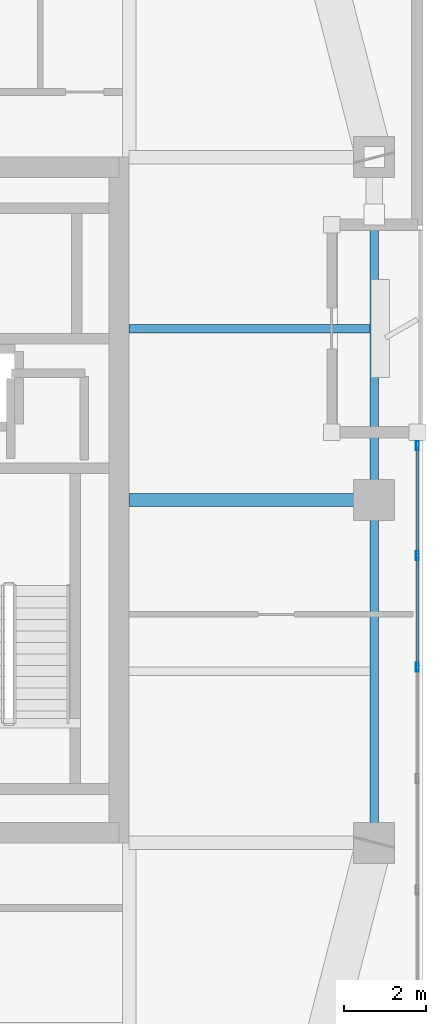
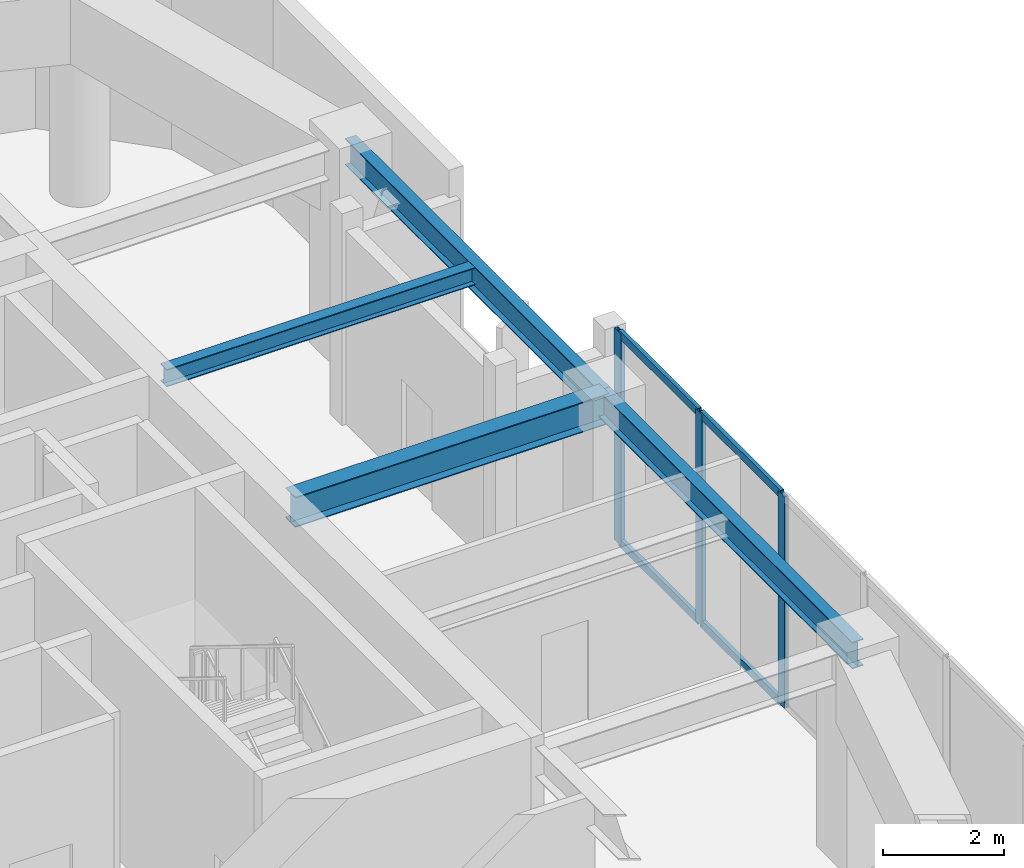
# One storey, part 5 of 14: 7 members, 4 beams, 1 element without a shape of its own.
"""IFC4 building model written with IfcOpenShell, lengths in metres."""

from ifc_helpers import new_model, si_unit, direction, frame, origin, origin_2d, place, context, subcontext, project, spatial, hollow_rectangle, i_section, extrude, material, layer, layer_set, material_profile, profile_set, type_object, element, aggregate, save


model = new_model("IFC4")

# Units and contexts
model_context = context("Model", 3, precision=1e-05, world=origin(), true_north=direction((0.0, 1.0)))
body_context = subcontext(model_context, "Body", "Model", "MODEL_VIEW")
ifc_project = project(units=[si_unit("LENGTHUNIT", "METRE"), si_unit("AREAUNIT", "SQUARE_METRE"), si_unit("VOLUMEUNIT", "CUBIC_METRE"), si_unit("PLANEANGLEUNIT", "RADIAN"), si_unit("MASSUNIT", "GRAM", prefix="KILO")], contexts=[model_context])

# Site, building, storey
site_placement = place(None, origin())
site = spatial("IfcSite", under=ifc_project, at=site_placement, CompositionType="ELEMENT")
building_placement = place(site_placement, origin())
building = spatial("IfcBuilding", under=site, at=building_placement, Name="Kiyonajd Concourse Tower", CompositionType="ELEMENT")
storey_placement = place(building_placement, frame((0.0, 0.0, 294.0)))
storey = spatial("IfcBuildingStorey", under=building, at=storey_placement, Name="L74", CompositionType="ELEMENT", Elevation=294.0)

# Beams
ifc_material_1 = material(Name="Steel ASTM A992 Grade 50", Category="steel")
ifc_material_profile_1 = material_profile(ifc_material_1, i_section(OverallWidth=0.205078125, OverallDepth=0.35400390625, WebThickness=0.009521484375, FlangeThickness=0.016845703125, at=origin_2d()), Name="W360X79")
ifc_profile_set_1 = profile_set([ifc_material_profile_1], Name="Steel ASTM A992 Grade 50")
beam_type_1 = type_object("IfcBeamType", Name="BM-JST-360", PredefinedType="JOIST", material=ifc_profile_set_1)
beam_1_placement = place(storey_placement, frame((63.60009765625, 40.199951171875, 4.10302734375), z_axis=(1.0, 0.0, 0.0), x_axis=(0.0, 1.0, 0.0)))
element("IfcBeam", 1, at=beam_1_placement, inside=storey, type_object=beam_type_1, Name="L74 East Secondary Floor Joist", PredefinedType="JOIST", context=body_context, shape_type="SweptSolid", body=[
    extrude(i_section(OverallWidth=0.205078125, OverallDepth=0.35400390625, WebThickness=0.009521484375, FlangeThickness=0.016845703125, at=origin_2d()), origin(), (0.0, 0.0, 1.0), 5.894287109375),
])
ifc_material_profile_2 = material_profile(ifc_material_1, i_section(OverallWidth=0.2109375, OverallDepth=0.5390625, WebThickness=0.01171875, FlangeThickness=0.018798828125, at=origin_2d()), Name="W530X109")
ifc_profile_set_2 = profile_set([ifc_material_profile_2], Name="Steel ASTM A992 Grade 50")
beam_type_2 = type_object("IfcBeamType", Name="BM-SPAN-530B", PredefinedType="SPANDREL", material=ifc_profile_set_2)
for number, where, z_axis, x_axis, name in (
    (2, (69.60009765625, 27.60009765625, 4.010498046875), (0.0, 1.0, 0.0), (-1.0, 0.0, 0.0), "L74 Perimeter Bundled Tube Spandrel"),
    (3, (69.60009765625, 36.0, 4.010498046875), (0.0, 1.0, 0.0), (-1.0, 0.0, 0.0), "L74 Perimeter Bundled Tube Spandrel"),
):
    element("IfcBeam", number, at=place(storey_placement, frame(where, z_axis=z_axis, x_axis=x_axis)), inside=storey, type_object=beam_type_2, Name=name, PredefinedType="SPANDREL", context=body_context, shape_type="SweptSolid", body=[
        extrude(i_section(OverallWidth=0.2109375, OverallDepth=0.5390625, WebThickness=0.01171875, FlangeThickness=0.018798828125, at=origin_2d()), origin(), (0.0, 0.0, 1.0), 8.39990234375),
    ])
ifc_material_profile_3 = material_profile(ifc_material_1, i_section(OverallWidth=0.323974609375, OverallDepth=0.611083984375, WebThickness=0.0126953125, FlangeThickness=0.01904296875, at=origin_2d()), Name="W610X155")
ifc_profile_set_3 = profile_set([ifc_material_profile_3], Name="Steel ASTM A992 Grade 50")
beam_type_3 = type_object("IfcBeamType", Name="BM-TWR-610B", PredefinedType="BEAM", material=ifc_profile_set_3)
beam_2_placement = place(storey_placement, frame((63.60009765625, 36.0, 3.974609375), z_axis=(1.0, 0.0, 0.0), x_axis=(0.0, 1.0, 0.0)))
element("IfcBeam", 4, at=beam_2_placement, inside=storey, type_object=beam_type_3, Name="L74 East Lease Girder", PredefinedType="BEAM", context=body_context, shape_type="SweptSolid", body=[
    extrude(i_section(OverallWidth=0.323974609375, OverallDepth=0.611083984375, WebThickness=0.0126953125, FlangeThickness=0.01904296875, at=origin_2d()), origin(), (0.0, 0.0, 1.0), 6.0),
])

# Curtain wall, members
ifc_material_2 = material(Name="Thermally Broken Anodised Aluminium", Category="aluminium")
ifc_layer = layer(ifc_material_2, 0.179931640625)
ifc_layer_set = layer_set([ifc_layer], Name="Thermally Broken Anodised Aluminium")
curtain_wall_type = type_object("IfcCurtainWallType", Name="CW-SYS-05", PredefinedType="NOTDEFINED", material=ifc_layer_set)
curtain_wall_placement = place(storey_placement, origin())
curtain_wall = element("IfcCurtainWall", 5, at=curtain_wall_placement, inside=storey, type_object=curtain_wall_type, Name="L74 Unitised Curtain Wall CW5", PredefinedType="NOTDEFINED")
ifc_material_profile_4 = material_profile(ifc_material_2, hollow_rectangle(XDim=0.074951171875, YDim=0.219970703125, WallThickness=0.0048828125, at=origin_2d()), Name="MULL-75x220")
ifc_profile_set_4 = profile_set([ifc_material_profile_4], Name="Thermally Broken Anodised Aluminium")
member_type_1 = type_object("IfcMemberType", Name="MB-CW-MULL2", PredefinedType="MULLION", material=ifc_profile_set_4)
member_1_placement = place(storey_placement, frame((70.659912109375, 37.33251953125, 0.0), z_axis=(0.0, 0.0, 1.0), x_axis=(1.0, 0.0, 0.0)))
member_1 = element("IfcMember", 6, at=member_1_placement, type_object=member_type_1, Name="CW5 mullion 1", PredefinedType="MULLION", context=body_context, shape_type="SweptSolid", body=[
    extrude(hollow_rectangle(XDim=0.074951171875, YDim=0.219970703125, WallThickness=0.0048828125, at=origin_2d()), origin(), (0.0, 0.0, 1.0), 4.280029296875),
])
member_2_placement = place(storey_placement, frame((70.659912109375, 34.6376953125, 0.0), z_axis=(0.0, 0.0, 1.0), x_axis=(1.0, 0.0, 0.0)))
member_2 = element("IfcMember", 7, at=member_2_placement, type_object=member_type_1, Name="CW5 mullion 2", PredefinedType="MULLION", context=body_context, shape_type="SweptSolid", body=[
    extrude(hollow_rectangle(XDim=0.074951171875, YDim=0.219970703125, WallThickness=0.0048828125, at=origin_2d()), origin(), (0.0, 0.0, 1.0), 4.280029296875),
])
member_3_placement = place(storey_placement, frame((70.659912109375, 31.9052734375, 0.0), z_axis=(0.0, 0.0, 1.0), x_axis=(1.0, 0.0, 0.0)))
member_3 = element("IfcMember", 8, at=member_3_placement, type_object=member_type_1, Name="CW5 mullion 3", PredefinedType="MULLION", context=body_context, shape_type="SweptSolid", body=[
    extrude(hollow_rectangle(XDim=0.074951171875, YDim=0.219970703125, WallThickness=0.0048828125, at=origin_2d()), origin(), (0.0, 0.0, 1.0), 4.280029296875),
])
ifc_material_profile_5 = material_profile(ifc_material_2, hollow_rectangle(XDim=0.074951171875, YDim=0.159912109375, WallThickness=0.0048828125, at=origin_2d()), Name="TRAN-75x160")
ifc_profile_set_5 = profile_set([ifc_material_profile_5], Name="Thermally Broken Anodised Aluminium")
member_type_2 = type_object("IfcMemberType", Name="MB-CW-TRAN2", PredefinedType="USERDEFINED", material=ifc_profile_set_5)
member_4_placement = place(storey_placement, frame((70.659912109375, 37.294921875, 0.03759765625), z_axis=(0.0, -1.0, 0.0), x_axis=(1.0, 0.0, 0.0)))
member_4 = element("IfcMember", 9, at=member_4_placement, type_object=member_type_2, Name="CW5 transom 1.1", ObjectType="TRANSOM", PredefinedType="USERDEFINED", context=body_context, shape_type="SweptSolid", body=[
    extrude(hollow_rectangle(XDim=0.074951171875, YDim=0.159912109375, WallThickness=0.0048828125, at=origin_2d()), origin(), (0.0, 0.0, 1.0), 2.61962890625),
])
member_5_placement = place(storey_placement, frame((70.659912109375, 37.294921875, 4.242431640625), z_axis=(0.0, -1.0, 0.0), x_axis=(1.0, 0.0, 0.0)))
member_5 = element("IfcMember", 10, at=member_5_placement, type_object=member_type_2, Name="CW5 transom 1.2", ObjectType="TRANSOM", PredefinedType="USERDEFINED", context=body_context, shape_type="SweptSolid", body=[
    extrude(hollow_rectangle(XDim=0.074951171875, YDim=0.159912109375, WallThickness=0.0048828125, at=origin_2d()), origin(), (0.0, 0.0, 1.0), 2.61962890625),
])
member_6_placement = place(storey_placement, frame((70.659912109375, 34.60009765625, 0.03759765625), z_axis=(0.0, -1.0, 0.0), x_axis=(1.0, 0.0, 0.0)))
member_6 = element("IfcMember", 11, at=member_6_placement, type_object=member_type_2, Name="CW5 transom 2.1", ObjectType="TRANSOM", PredefinedType="USERDEFINED", context=body_context, shape_type="SweptSolid", body=[
    extrude(hollow_rectangle(XDim=0.074951171875, YDim=0.159912109375, WallThickness=0.0048828125, at=origin_2d()), origin(), (0.0, 0.0, 1.0), 2.6572265625),
])
member_7_placement = place(storey_placement, frame((70.659912109375, 34.60009765625, 4.242431640625), z_axis=(0.0, -1.0, 0.0), x_axis=(1.0, 0.0, 0.0)))
member_7 = element("IfcMember", 12, at=member_7_placement, type_object=member_type_2, Name="CW5 transom 2.2", ObjectType="TRANSOM", PredefinedType="USERDEFINED", context=body_context, shape_type="SweptSolid", body=[
    extrude(hollow_rectangle(XDim=0.074951171875, YDim=0.159912109375, WallThickness=0.0048828125, at=origin_2d()), origin(), (0.0, 0.0, 1.0), 2.6572265625),
])
aggregate(curtain_wall, [member_1, member_2, member_3, member_4, member_5, member_6, member_7])

save(model, "model.ifc")
